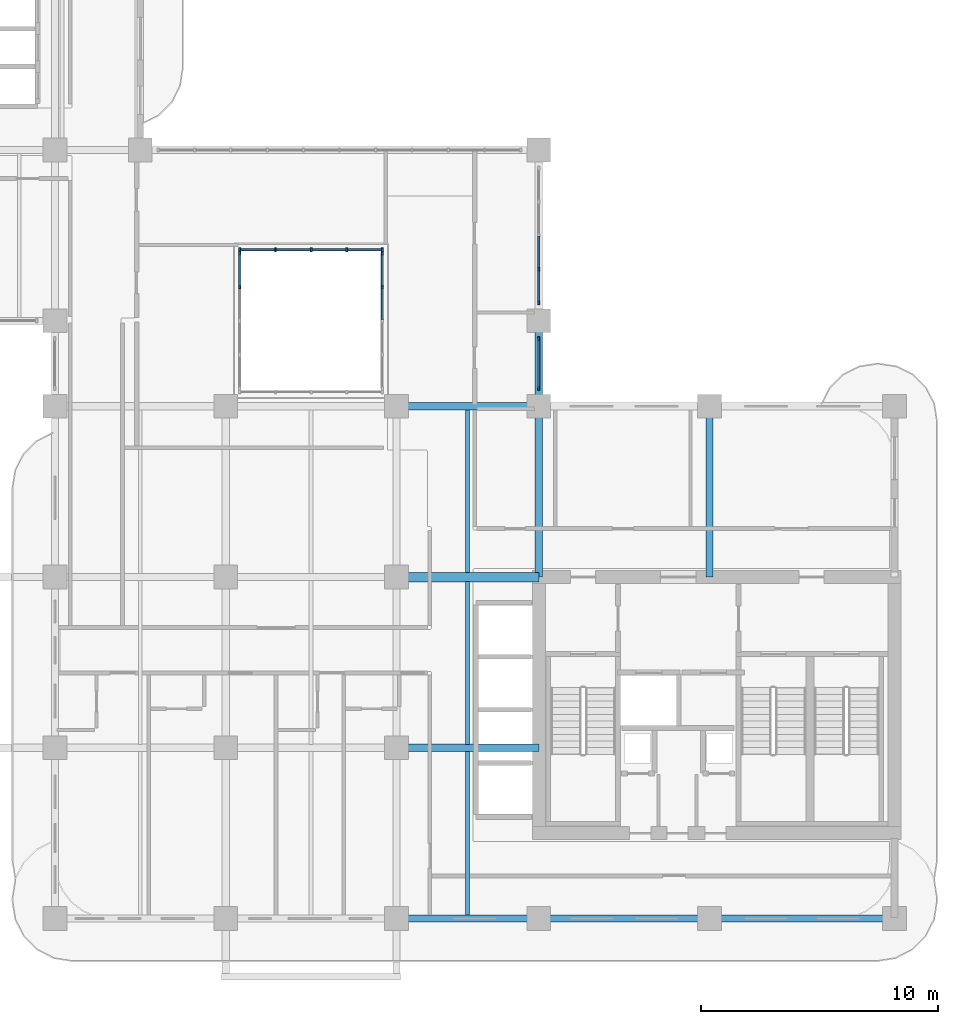
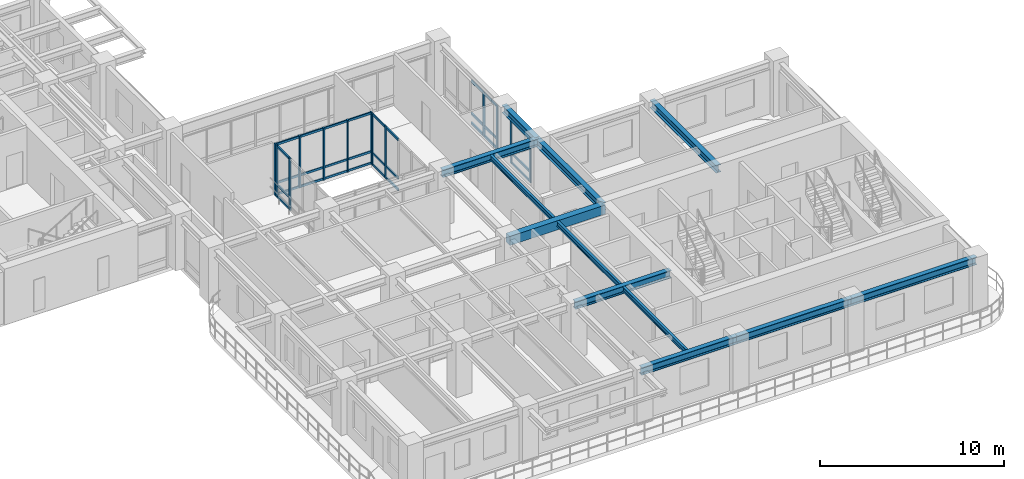
# One storey, part 3 of 20: 43 members, 12 beams, 5 elements without a shape of their own.
"""IFC4 building model written with IfcOpenShell, lengths in metres."""

import ifcopenshell
import ifcopenshell.guid

model = None  # the IFC model being written
_history = None  # IfcOwnerHistory: only IFC2X3 demands one
_inside = {}  # id of a spatial element -> (the spatial element, [elements in it])
_under = {}  # id of a project, library or spatial element -> (it, [spatial elements below it])
_declared = {}  # id of a project -> (the project, [libraries it declares])
_typed = {}  # id of a type object -> (the type object, [elements of that type])
_made_of = {}  # id of a material, layer set ... -> (it, [elements and type objects made of it])


def new_model(schema):
    """Start an empty IFC model of exactly this schema.

    Asked for "IFC4X3", IfcOpenShell would pick the latest addendum, in which some entities
    have other attributes; the version numbers below select the first issue.
    IFC2X3 requires an IfcOwnerHistory on every rooted entity: one is made here for all.
    """
    global model, _history
    if schema == "IFC4X3":
        model = ifcopenshell.file(schema_version=(4, 3, 0, 0))
    else:
        model = ifcopenshell.file(schema=schema)
    _inside.clear()
    _under.clear()
    _declared.clear()
    _typed.clear()
    _made_of.clear()
    _history = None
    if model.schema == "IFC2X3":
        org = make("IfcOrganization", Name="unknown")
        user = make(
            "IfcPersonAndOrganization",
            ThePerson=make("IfcPerson", FamilyName="unknown"),
            TheOrganization=org,
        )
        app = make(
            "IfcApplication",
            ApplicationDeveloper=org,
            Version="unknown",
            ApplicationFullName="unknown",
            ApplicationIdentifier="unknown",
        )
        _history = make(
            "IfcOwnerHistory",
            OwningUser=user,
            OwningApplication=app,
            ChangeAction="ADDED",
            CreationDate=0,
        )
    return model


def make(cls, **values):
    """One entity of the class cls with the attributes given. An attribute that is None is left unset."""
    return model.create_entity(
        cls, **{name: value for name, value in values.items() if value is not None}
    )


def rooted(cls, **values):
    """An entity with a GlobalId (a new one), such as an element, a storey or a relation."""
    return make(cls, GlobalId=ifcopenshell.guid.new(), OwnerHistory=_history, **values)


def si_unit(unit_type, name, prefix=None):
    """IfcSIUnit, for example si_unit("LENGTHUNIT", "METRE", prefix="MILLI")."""
    return make("IfcSIUnit", UnitType=unit_type, Prefix=prefix, Name=name)


def derived_unit(unit_type, elements):
    """IfcDerivedUnit: a product of units, each with its exponent."""
    return make(
        "IfcDerivedUnit",
        Elements=[
            make("IfcDerivedUnitElement", Unit=unit, Exponent=power)
            for unit, power in elements
        ],
        UnitType=unit_type,
    )


def assignment(units):
    """IfcUnitAssignment: the units of a project."""
    return None if units is None else make("IfcUnitAssignment", Units=units)


def point(xyz):
    """IfcCartesianPoint."""
    return None if xyz is None else make("IfcCartesianPoint", Coordinates=xyz)


def direction(xyz):
    """IfcDirection."""
    return None if xyz is None else make("IfcDirection", DirectionRatios=xyz)


def frame(location, z_axis=None, x_axis=None):
    """IfcAxis2Placement3D, a coordinate frame: its origin and axes. An axis left out is left unset."""
    return make(
        "IfcAxis2Placement3D",
        Location=point(location),
        Axis=direction(z_axis),
        RefDirection=direction(x_axis),
    )


def frame_2d(location, x_axis=None):
    """IfcAxis2Placement2D, a coordinate frame in the plane: its origin and x axis."""
    return make(
        "IfcAxis2Placement2D", Location=point(location), RefDirection=direction(x_axis)
    )


def origin():
    """The frame at (0, 0, 0) with its axes left unset."""
    return frame((0.0, 0.0, 0.0))


def origin_2d():
    """The frame at (0, 0) in the plane with its x axis left unset."""
    return frame_2d((0.0, 0.0))


def place(relative_to, where):
    """IfcLocalPlacement: puts the frame where relative to a parent placement (None: the world)."""
    return make(
        "IfcLocalPlacement", PlacementRelTo=relative_to, RelativePlacement=where
    )


def context(
    kind, dimensions, precision=None, world=None, true_north=None, identifier=None
):
    """IfcGeometricRepresentationContext, for example the 3D "Model" context."""
    return make(
        "IfcGeometricRepresentationContext",
        ContextIdentifier=identifier,
        ContextType=kind,
        CoordinateSpaceDimension=dimensions,
        Precision=precision,
        WorldCoordinateSystem=world,
        TrueNorth=true_north,
    )


def subcontext(parent, identifier, kind, view, scale=None):
    """IfcGeometricRepresentationSubContext, for example "Body" below "Model"."""
    return make(
        "IfcGeometricRepresentationSubContext",
        ContextIdentifier=identifier,
        ContextType=kind,
        ParentContext=parent,
        TargetScale=scale,
        TargetView=view,
    )


def project(units=None, contexts=None):
    """IfcProject with its units and contexts."""
    return rooted(
        "IfcProject",
        Name="project",
        RepresentationContexts=contexts,
        UnitsInContext=assignment(units),
    )


def spatial(cls, under=None, at=None, **own):
    """A site, building, storey or space (cls), placed at a placement, below another one or the project."""
    s = rooted(cls, ObjectPlacement=at, **own)
    if under is not None:
        _under.setdefault(under.id(), (under, []))[1].append(s)
    return s


def profile(cls, at=None, kind="AREA", **sizes):
    """A parametric profile (cls). Its sizes go by their IFC names, for example OverallWidth=200.0."""
    return make(cls, ProfileType=kind, Position=at, **sizes)


def rectangle(**sizes):
    """IfcRectangleProfileDef."""
    return profile("IfcRectangleProfileDef", **sizes)


def i_section(**sizes):
    """IfcIShapeProfileDef."""
    return profile("IfcIShapeProfileDef", **sizes)


def extrude(swept, where, along, depth):
    """IfcExtrudedAreaSolid: the profile swept, set in the frame where, extruded along a direction by depth."""
    return make(
        "IfcExtrudedAreaSolid",
        SweptArea=swept,
        Position=where,
        ExtrudedDirection=direction(along),
        Depth=depth,
    )


def shape(context_of_items, identifier, shape_type, items):
    """IfcShapeRepresentation: the items that make up one representation, for example the "Body"."""
    return make(
        "IfcShapeRepresentation",
        ContextOfItems=context_of_items,
        RepresentationIdentifier=identifier,
        RepresentationType=shape_type,
        Items=items,
    )


def source(mapping_origin, context_of_items, identifier, shape_type, items):
    """IfcRepresentationMap: a shape defined once, which mapped items show again and again."""
    return make(
        "IfcRepresentationMap",
        MappingOrigin=mapping_origin,
        MappedRepresentation=shape(context_of_items, identifier, shape_type, items),
    )


def transform(
    local_origin,
    x_axis=None,
    y_axis=None,
    z_axis=None,
    scale=None,
    scale2=None,
    scale3=None,
    uniform=True,
):
    """IfcCartesianTransformationOperator3D, or its non-uniform kind. x_axis, y_axis, z_axis: its Axis1, 2, 3."""
    if uniform:
        return make(
            "IfcCartesianTransformationOperator3D",
            Axis1=direction(x_axis),
            Axis2=direction(y_axis),
            LocalOrigin=point(local_origin),
            Scale=scale,
            Axis3=direction(z_axis),
        )
    return make(
        "IfcCartesianTransformationOperator3DnonUniform",
        Axis1=direction(x_axis),
        Axis2=direction(y_axis),
        LocalOrigin=point(local_origin),
        Scale=scale,
        Axis3=direction(z_axis),
        Scale2=scale2,
        Scale3=scale3,
    )


def mapped(mapping_source, mapping_target):
    """IfcMappedItem: shows the shape of a source again, moved by a transform."""
    return make(
        "IfcMappedItem", MappingSource=mapping_source, MappingTarget=mapping_target
    )


def material(Name=None, Category=None):
    """IfcMaterial."""
    return make("IfcMaterial", Name=Name, Category=Category)


def layer(
    of_material, thickness, ventilated=None, Name=None, Category=None, Priority=None
):
    """IfcMaterialLayer: one layer of a wall or slab, of a material (None: an air gap)."""
    return make(
        "IfcMaterialLayer",
        Material=of_material,
        LayerThickness=thickness,
        IsVentilated=ventilated,
        Name=Name,
        Category=Category,
        Priority=Priority,
    )


def layer_set(layers, Name=None):
    """IfcMaterialLayerSet."""
    return make("IfcMaterialLayerSet", MaterialLayers=layers, LayerSetName=Name)


def material_profile(
    of_material, cross_section, Name=None, Category=None, Priority=None
):
    """IfcMaterialProfile: a cross section and its material."""
    return make(
        "IfcMaterialProfile",
        Name=Name,
        Material=of_material,
        Profile=cross_section,
        Priority=Priority,
        Category=Category,
    )


def profile_set(profiles, Name=None, composite=None):
    """IfcMaterialProfileSet."""
    return make(
        "IfcMaterialProfileSet",
        Name=Name,
        MaterialProfiles=profiles,
        CompositeProfile=composite,
    )


def made_of(thing, what):
    """Note that an element or type object is made of a material, layer set ...; save() writes the relation."""
    if what is not None:
        _made_of.setdefault(what.id(), (what, []))[1].append(thing)
    return thing


def type_object(cls, material=None, **own):
    """A type object (cls), such as IfcWallType, which elements share."""
    return made_of(rooted(cls, **own), material)


def type_shapes(of_type, sources):
    """Give a type object the sources (RepresentationMaps) that its elements show as mapped items."""
    of_type.RepresentationMaps = sources


def element(
    cls,
    number,
    at=None,
    inside=None,
    cuts=None,
    type_object=None,
    material=None,
    context=None,
    identifier="Body",
    shape_type=None,
    held_by="IfcProductDefinitionShape",
    body=None,
    shapes=None,
    **own,
):
    """One element of the class cls, such as IfcWall. Its Tag is "e" and its number.

    at: its placement. inside: the storey or other place that contains it. cuts: it is an
    opening in that element (IfcRelVoidsElement). A single representation is given by context,
    identifier, shape_type and body (its items); several are given by shapes. held_by: the class
    of the entity that holds the representations. save() writes the other relations.
    """
    e = rooted(cls, Tag="e%d" % number, ObjectPlacement=at, **own)
    if body is not None:
        shapes = [shape(context, identifier, shape_type, body)]
    if shapes is not None:
        e.Representation = make(held_by, Representations=shapes)
    if inside is not None:
        _inside.setdefault(inside.id(), (inside, []))[1].append(e)
    if cuts is not None:
        rooted(
            "IfcRelVoidsElement", RelatingBuildingElement=cuts, RelatedOpeningElement=e
        )
    if type_object is not None:
        _typed.setdefault(type_object.id(), (type_object, []))[1].append(e)
    return made_of(e, material)


def aggregate(whole, parts):
    """IfcRelAggregates: a whole, such as a stair, and the parts it consists of."""
    return rooted("IfcRelAggregates", RelatingObject=whole, RelatedObjects=parts)


def save(model, path):
    """Write the relations noted so far, then the file.

    IfcRelAggregates (storeys below a building ...), IfcRelContainedInSpatialStructure (elements
    in a storey), IfcRelDefinesByType, IfcRelAssociatesMaterial and IfcRelDeclares: one each for
    every whole, place, type object, material and project.
    """
    for whole, parts in _under.values():
        aggregate(whole, parts)
    for where, things in _inside.values():
        rooted(
            "IfcRelContainedInSpatialStructure",
            RelatedElements=things,
            RelatingStructure=where,
        )
    for kind, things in _typed.values():
        rooted("IfcRelDefinesByType", RelatedObjects=things, RelatingType=kind)
    for what, things in _made_of.values():
        rooted("IfcRelAssociatesMaterial", RelatedObjects=things, RelatingMaterial=what)
    for by, libraries in _declared.values():
        rooted("IfcRelDeclares", RelatingContext=by, RelatedDefinitions=libraries)
    model.write(path)


model = new_model("IFC4")

# Units and contexts
model_context = context("Model", 3, precision=1e-05, world=origin(), true_north=direction((0.0, 1.0)))
body_context = subcontext(model_context, "Body", "Model", "MODEL_VIEW")
ifc_project = project(units=[si_unit("LENGTHUNIT", "METRE"), si_unit("AREAUNIT", "SQUARE_METRE"), si_unit("VOLUMEUNIT", "CUBIC_METRE"), si_unit("PLANEANGLEUNIT", "RADIAN"), si_unit("MASSUNIT", "GRAM", prefix="KILO"), si_unit("THERMODYNAMICTEMPERATUREUNIT", "KELVIN"), si_unit("POWERUNIT", "WATT"), derived_unit("THERMALTRANSMITTANCEUNIT", [(si_unit("POWERUNIT", "WATT"), 1), (si_unit("AREAUNIT", "SQUARE_METRE"), -1), (si_unit("THERMODYNAMICTEMPERATUREUNIT", "KELVIN"), -1)])], contexts=[model_context])

# Site, building, storey
site_placement = place(None, origin())
site = spatial("IfcSite", under=ifc_project, at=site_placement, CompositionType="ELEMENT")
building_placement = place(site_placement, origin())
building = spatial("IfcBuilding", under=site, at=building_placement, Name="Zahravan Archway Hotel and Residences", CompositionType="ELEMENT")
storey_placement = place(building_placement, frame((0.0, 0.0, 126.60009765625)))
storey = spatial("IfcBuildingStorey", under=building, at=storey_placement, Name="L31", CompositionType="ELEMENT", Elevation=126.60009765625)

# Beams
ifc_material_1 = material(Name="Concrete C60/75", Category="concrete")
ifc_material_profile_1 = material_profile(ifc_material_1, rectangle(XDim=0.39990234375, YDim=0.60009765625, at=origin_2d()), Name="RC-LNT-400x600", Category="concrete")
ifc_profile_set_1 = profile_set([ifc_material_profile_1], Name="Concrete C60/75")
beam_type_1 = type_object("IfcBeamType", Name="LNT-RC-400x600", PredefinedType="LINTEL", material=ifc_profile_set_1)
shared_shape_1 = source(origin(), body_context, "Body", "SweptSolid", [
    extrude(rectangle(XDim=0.39990234375, YDim=0.60009765625, at=origin_2d()), origin(), (0.0, 0.0, 1.0), 6.0),
])
type_shapes(beam_type_1, [shared_shape_1])
beam_1_placement = place(storey_placement, frame((28.800048828125, 14.39990234375, 3.14990234375), z_axis=(1.0, 0.0, 0.0), x_axis=(0.0, 1.0, 0.0)))
element("IfcBeam", 1, at=beam_1_placement, inside=storey, type_object=beam_type_1, Name="L31 Core A Coupling Lintel Beam", PredefinedType="LINTEL", context=body_context, shape_type="MappedRepresentation", body=[
    mapped(shared_shape_1, transform((0.0, 0.0, 0.0), scale=1.0)),
])
ifc_material_2 = material(Name="Structural Steel S355JR", Category="steel")
ifc_material_profile_2 = material_profile(ifc_material_2, i_section(OverallWidth=0.300048828125, OverallDepth=0.5, WebThickness=0.014404296875, FlangeThickness=0.028076171875, FilletRadius=0.027099609375, at=origin_2d()), Name="HEB 500", Category="steel")
ifc_profile_set_2 = profile_set([ifc_material_profile_2], Name="Structural Steel S355JR")
beam_type_2 = type_object("IfcBeamType", Name="BM-PRI-HEB500", PredefinedType="BEAM", material=ifc_profile_set_2)
shared_shape_2 = source(origin(), body_context, "Body", "SweptSolid", [
    extrude(i_section(OverallWidth=0.300048828125, OverallDepth=0.5, WebThickness=0.014404296875, FlangeThickness=0.028076171875, FilletRadius=0.027099609375, at=origin_2d()), origin(), (0.0, 0.0, 1.0), 7.2001953125),
])
type_shapes(beam_type_2, [shared_shape_2])
for number, where, z_axis, x_axis, name in (
    (2, (34.800048828125, 14.39990234375, 3.199951171875), (0.0, 1.0, 0.0), (-1.0, 0.0, 0.0), "L31 Primary Girder NS-41"),
    (3, (42.0, 14.39990234375, 3.199951171875), (0.0, 1.0, 0.0), (-1.0, 0.0, 0.0), "L31 Primary Girder NS-44"),
):
    element("IfcBeam", number, at=place(storey_placement, frame(where, z_axis=z_axis, x_axis=x_axis)), inside=storey, type_object=beam_type_2, Name=name, PredefinedType="BEAM", context=body_context, shape_type="MappedRepresentation", body=[
        mapped(shared_shape_2, transform((0.0, 0.0, 0.0), scale=1.0)),
    ])
shared_shape_3 = source(origin(), body_context, "Body", "SweptSolid", [
    extrude(i_section(OverallWidth=0.300048828125, OverallDepth=0.5, WebThickness=0.014404296875, FlangeThickness=0.028076171875, FilletRadius=0.027099609375, at=origin_2d()), origin(), (0.0, 0.0, 1.0), 7.199951171875),
])
beam_2_placement = place(storey_placement, frame((34.800048828125, 0.0, 3.199951171875), z_axis=(1.0, 0.0, 0.0), x_axis=(0.0, 1.0, 0.0)))
element("IfcBeam", 4, at=beam_2_placement, inside=storey, type_object=beam_type_2, Name="L31 Primary Girder EW-04", PredefinedType="BEAM", context=body_context, shape_type="MappedRepresentation", body=[
    mapped(shared_shape_3, transform((0.0, 0.0, 0.0), scale=1.0)),
])
shared_shape_4 = source(origin(), body_context, "Body", "SweptSolid", [
    extrude(i_section(OverallWidth=0.300048828125, OverallDepth=0.5, WebThickness=0.014404296875, FlangeThickness=0.028076171875, FilletRadius=0.027099609375, at=origin_2d()), origin(), (0.0, 0.0, 1.0), 6.0),
])
for number, where, z_axis, x_axis, name in (
    (5, (28.800048828125, 0.0, 3.199951171875), (1.0, 0.0, 0.0), (0.0, 1.0, 0.0), "L31 Primary Girder EW-03"),
    (6, (28.800048828125, 7.199951171875, 3.199951171875), (1.0, 0.0, 0.0), (0.0, 1.0, 0.0), "L31 Primary Girder EW-08"),
    (7, (28.800048828125, 21.60009765625, 3.199951171875), (1.0, 0.0, 0.0), (0.0, 1.0, 0.0), "L31 Primary Girder EW-13"),
):
    element("IfcBeam", number, at=place(storey_placement, frame(where, z_axis=z_axis, x_axis=x_axis)), inside=storey, type_object=beam_type_2, Name=name, PredefinedType="BEAM", context=body_context, shape_type="MappedRepresentation", body=[
        mapped(shared_shape_4, transform((0.0, 0.0, 0.0), scale=1.0)),
    ])
shared_shape_5 = source(origin(), body_context, "Body", "SweptSolid", [
    extrude(i_section(OverallWidth=0.300048828125, OverallDepth=0.5, WebThickness=0.014404296875, FlangeThickness=0.028076171875, FilletRadius=0.027099609375, at=origin_2d()), origin(), (0.0, 0.0, 1.0), 7.800048828125),
])
beam_3_placement = place(storey_placement, frame((42.0, 0.0, 3.199951171875), z_axis=(1.0, 0.0, 0.0), x_axis=(0.0, 1.0, 0.0)))
element("IfcBeam", 8, at=beam_3_placement, inside=storey, type_object=beam_type_2, Name="L31 Primary Girder EW-05", PredefinedType="BEAM", context=body_context, shape_type="MappedRepresentation", body=[
    mapped(shared_shape_5, transform((0.0, 0.0, 0.0), scale=1.0)),
])
shared_shape_6 = source(origin(), body_context, "Body", "SweptSolid", [
    extrude(i_section(OverallWidth=0.300048828125, OverallDepth=0.5, WebThickness=0.014404296875, FlangeThickness=0.028076171875, FilletRadius=0.027099609375, at=origin_2d()), origin(), (0.0, 0.0, 1.0), 3.599853515625),
])
beam_4_placement = place(storey_placement, frame((34.800048828125, 21.60009765625, 3.199951171875), z_axis=(0.0, 1.0, 0.0), x_axis=(-1.0, 0.0, 0.0)))
element("IfcBeam", 9, at=beam_4_placement, inside=storey, type_object=beam_type_2, Name="L31 Primary Girder NS-42", PredefinedType="BEAM", context=body_context, shape_type="MappedRepresentation", body=[
    mapped(shared_shape_6, transform((0.0, 0.0, 0.0), scale=1.0)),
])
ifc_material_profile_3 = material_profile(ifc_material_2, i_section(OverallWidth=0.159912109375, OverallDepth=0.330078125, WebThickness=0.007568359375, FlangeThickness=0.011474609375, FilletRadius=0.01806640625, at=origin_2d()), Name="IPE 330", Category="steel")
ifc_profile_set_3 = profile_set([ifc_material_profile_3], Name="Structural Steel S355JR")
beam_type_3 = type_object("IfcBeamType", Name="BM-JST-IPE330", PredefinedType="JOIST", material=ifc_profile_set_3)
shared_shape_7 = source(origin(), body_context, "Body", "SweptSolid", [
    extrude(i_section(OverallWidth=0.159912109375, OverallDepth=0.330078125, WebThickness=0.007568359375, FlangeThickness=0.011474609375, FilletRadius=0.01806640625, at=origin_2d()), origin(), (0.0, 0.0, 1.0), 6.904052734375),
])
type_shapes(beam_type_3, [shared_shape_7])
beam_5_placement = place(storey_placement, frame((31.800048828125, 0.14794921875, 3.284912109375), z_axis=(0.0, 1.0, 0.0), x_axis=(-1.0, 0.0, 0.0)))
element("IfcBeam", 10, at=beam_5_placement, inside=storey, type_object=beam_type_3, Name="L31 Composite Floor Joist 03", PredefinedType="JOIST", context=body_context, shape_type="MappedRepresentation", body=[
    mapped(shared_shape_7, transform((0.0, 0.0, 0.0), scale=1.0)),
])
shared_shape_8 = source(origin(), body_context, "Body", "SweptSolid", [
    extrude(i_section(OverallWidth=0.159912109375, OverallDepth=0.330078125, WebThickness=0.007568359375, FlangeThickness=0.011474609375, FilletRadius=0.01806640625, at=origin_2d()), origin(), (0.0, 0.0, 1.0), 6.85400390625),
])
for number, where, z_axis, x_axis, name in (
    (11, (31.800048828125, 7.347900390625, 3.284912109375), (0.0, 1.0, 0.0), (-1.0, 0.0, 0.0), "L31 Composite Floor Joist 06"),
    (12, (31.800048828125, 14.597900390625, 3.284912109375), (0.0, 1.0, 0.0), (-1.0, 0.0, 0.0), "L31 Composite Floor Joist 07"),
):
    element("IfcBeam", number, at=place(storey_placement, frame(where, z_axis=z_axis, x_axis=x_axis)), inside=storey, type_object=beam_type_3, Name=name, PredefinedType="JOIST", context=body_context, shape_type="MappedRepresentation", body=[
        mapped(shared_shape_8, transform((0.0, 0.0, 0.0), scale=1.0)),
    ])

# Curtain wall, members
ifc_material_3 = material(Name="Bronze-Anodized Unitised Aluminium & Low-E Glass", Category="aluminium")
ifc_layer = layer(ifc_material_3, 0.179931640625, Name="Bronze-Anodized Unitised Aluminium & Low-E Glass", Category="aluminium")
ifc_layer_set = layer_set([ifc_layer], Name="Bronze-Anodized Unitised Aluminium & Low-E Glass")
curtain_wall_type = type_object("IfcCurtainWallType", Name="CW-ATR-GLAZ", PredefinedType="NOTDEFINED", material=ifc_layer_set)
curtain_wall_1_placement = place(storey_placement, origin())
curtain_wall_1 = element("IfcCurtainWall", 13, at=curtain_wall_1_placement, inside=storey, type_object=curtain_wall_type, Name="L31 Curtain Wall CW-L31-HNG-E-2", PredefinedType="NOTDEFINED")
ifc_material_4 = material(Name="Bronze-Anodized Extruded Aluminium", Category="aluminium")
ifc_material_profile_4 = material_profile(ifc_material_4, rectangle(XDim=0.080078125, YDim=0.139892578125, at=origin_2d()), Name="TRN 80x140", Category="aluminium")
ifc_profile_set_4 = profile_set([ifc_material_profile_4], Name="Bronze-Anodized Extruded Aluminium")
member_type_1 = type_object("IfcMemberType", Name="CWM-TRN-140", PredefinedType="USERDEFINED", material=ifc_profile_set_4)
shared_shape_9 = source(origin(), body_context, "Body", "SweptSolid", [
    extrude(rectangle(XDim=0.080078125, YDim=0.139892578125, at=origin_2d()), origin(), (0.0, 0.0, 1.0), 1.340087890625),
])
member_1_placement = place(storey_placement, frame((34.800048828125, 26.0, 0.06982421875), z_axis=(0.0, 1.0, 0.0), x_axis=(-1.0, 0.0, 0.0)))
member_1 = element("IfcMember", 14, at=member_1_placement, type_object=member_type_1, Name="CW-L31-HNG-E-2 Transom 0-1", ObjectType="TRANSOM", PredefinedType="USERDEFINED", context=body_context, shape_type="MappedRepresentation", body=[
    mapped(shared_shape_9, transform((0.0, 0.0, 0.0), scale=1.0)),
])
member_2_placement = place(storey_placement, frame((34.800048828125, 26.0, 0.704345703125), z_axis=(0.0, 1.0, 0.0), x_axis=(-1.0, 0.0, 0.0)))
member_2 = element("IfcMember", 15, at=member_2_placement, type_object=member_type_1, Name="CW-L31-HNG-E-2 Transom 0-2", ObjectType="TRANSOM", PredefinedType="USERDEFINED", context=body_context, shape_type="MappedRepresentation", body=[
    mapped(shared_shape_9, transform((0.0, 0.0, 0.0), scale=1.0)),
])
member_3_placement = place(storey_placement, frame((34.800048828125, 26.0, 2.864990234375), z_axis=(0.0, 1.0, 0.0), x_axis=(-1.0, 0.0, 0.0)))
member_3 = element("IfcMember", 16, at=member_3_placement, type_object=member_type_1, Name="CW-L31-HNG-E-2 Transom 0-3", ObjectType="TRANSOM", PredefinedType="USERDEFINED", context=body_context, shape_type="MappedRepresentation", body=[
    mapped(shared_shape_9, transform((0.0, 0.0, 0.0), scale=1.0)),
])
member_4_placement = place(storey_placement, frame((34.800048828125, 27.419921875, 0.06982421875), z_axis=(0.0, 1.0, 0.0), x_axis=(-1.0, 0.0, 0.0)))
member_4 = element("IfcMember", 17, at=member_4_placement, type_object=member_type_1, Name="CW-L31-HNG-E-2 Transom 1-1", ObjectType="TRANSOM", PredefinedType="USERDEFINED", context=body_context, shape_type="MappedRepresentation", body=[
    mapped(shared_shape_9, transform((0.0, 0.0, 0.0), scale=1.0)),
])
member_5_placement = place(storey_placement, frame((34.800048828125, 27.419921875, 0.704345703125), z_axis=(0.0, 1.0, 0.0), x_axis=(-1.0, 0.0, 0.0)))
member_5 = element("IfcMember", 18, at=member_5_placement, type_object=member_type_1, Name="CW-L31-HNG-E-2 Transom 1-2", ObjectType="TRANSOM", PredefinedType="USERDEFINED", context=body_context, shape_type="MappedRepresentation", body=[
    mapped(shared_shape_9, transform((0.0, 0.0, 0.0), scale=1.0)),
])
member_6_placement = place(storey_placement, frame((34.800048828125, 27.419921875, 2.864990234375), z_axis=(0.0, 1.0, 0.0), x_axis=(-1.0, 0.0, 0.0)))
member_6 = element("IfcMember", 19, at=member_6_placement, type_object=member_type_1, Name="CW-L31-HNG-E-2 Transom 1-3", ObjectType="TRANSOM", PredefinedType="USERDEFINED", context=body_context, shape_type="MappedRepresentation", body=[
    mapped(shared_shape_9, transform((0.0, 0.0, 0.0), scale=1.0)),
])

curtain_wall_2_placement = place(storey_placement, origin())
curtain_wall_2 = element("IfcCurtainWall", 20, at=curtain_wall_2_placement, inside=storey, type_object=curtain_wall_type, Name="L31 Curtain Wall CW-L31-HNG-E-1", PredefinedType="NOTDEFINED")
shared_shape_10 = source(origin(), body_context, "Body", "SweptSolid", [
    extrude(rectangle(XDim=0.080078125, YDim=0.139892578125, at=origin_2d()), origin(), (0.0, 0.0, 1.0), 2.0),
])
member_7_placement = place(storey_placement, frame((34.800048828125, 22.39990234375, 0.06982421875), z_axis=(0.0, 1.0, 0.0), x_axis=(-1.0, 0.0, 0.0)))
member_7 = element("IfcMember", 21, at=member_7_placement, type_object=member_type_1, Name="CW-L31-HNG-E-1 Transom 0-1", ObjectType="TRANSOM", PredefinedType="USERDEFINED", context=body_context, shape_type="MappedRepresentation", body=[
    mapped(shared_shape_10, transform((0.0, 0.0, 0.0), scale=1.0)),
])
member_8_placement = place(storey_placement, frame((34.800048828125, 22.39990234375, 0.704345703125), z_axis=(0.0, 1.0, 0.0), x_axis=(-1.0, 0.0, 0.0)))
member_8 = element("IfcMember", 22, at=member_8_placement, type_object=member_type_1, Name="CW-L31-HNG-E-1 Transom 0-2", ObjectType="TRANSOM", PredefinedType="USERDEFINED", context=body_context, shape_type="MappedRepresentation", body=[
    mapped(shared_shape_10, transform((0.0, 0.0, 0.0), scale=1.0)),
])
member_9_placement = place(storey_placement, frame((34.800048828125, 22.39990234375, 2.864990234375), z_axis=(0.0, 1.0, 0.0), x_axis=(-1.0, 0.0, 0.0)))
member_9 = element("IfcMember", 23, at=member_9_placement, type_object=member_type_1, Name="CW-L31-HNG-E-1 Transom 0-3", ObjectType="TRANSOM", PredefinedType="USERDEFINED", context=body_context, shape_type="MappedRepresentation", body=[
    mapped(shared_shape_10, transform((0.0, 0.0, 0.0), scale=1.0)),
])

curtain_wall_3_placement = place(storey_placement, origin())
curtain_wall_3 = element("IfcCurtainWall", 24, at=curtain_wall_3_placement, inside=storey, type_object=curtain_wall_type, Name="L31 Curtain Wall CW-ATR-L31-N-1", PredefinedType="NOTDEFINED")
ifc_material_profile_5 = material_profile(ifc_material_4, rectangle(XDim=0.080078125, YDim=0.159912109375, at=origin_2d()), Name="MUL 80x160", Category="aluminium")
ifc_profile_set_5 = profile_set([ifc_material_profile_5], Name="Bronze-Anodized Extruded Aluminium")
member_type_2 = type_object("IfcMemberType", Name="CWM-MUL-160", PredefinedType="MULLION", material=ifc_profile_set_5)
shared_shape_11 = source(origin(), body_context, "Body", "SweptSolid", [
    extrude(rectangle(XDim=0.080078125, YDim=0.159912109375, at=origin_2d()), origin(), (0.0, 0.0, 1.0), 3.449951171875),
])
member_10_placement = place(storey_placement, frame((22.199951171875, 28.199951171875, 0.0), z_axis=(0.0, 0.0, 1.0), x_axis=(1.0, 0.0, 0.0)))
member_10 = element("IfcMember", 25, at=member_10_placement, type_object=member_type_2, Name="CW-ATR-L31-N-1 Mullion 0", PredefinedType="MULLION", context=body_context, shape_type="MappedRepresentation", body=[
    mapped(shared_shape_11, transform((0.0, 0.0, 0.0), scale=1.0)),
])
member_11_placement = place(storey_placement, frame((23.699951171875, 28.199951171875, 0.0), z_axis=(0.0, 0.0, 1.0), x_axis=(1.0, 0.0, 0.0)))
member_11 = element("IfcMember", 26, at=member_11_placement, type_object=member_type_2, Name="CW-ATR-L31-N-1 Mullion 1", PredefinedType="MULLION", context=body_context, shape_type="MappedRepresentation", body=[
    mapped(shared_shape_11, transform((0.0, 0.0, 0.0), scale=1.0)),
])
member_12_placement = place(storey_placement, frame((25.199951171875, 28.199951171875, 0.0), z_axis=(0.0, 0.0, 1.0), x_axis=(1.0, 0.0, 0.0)))
member_12 = element("IfcMember", 27, at=member_12_placement, type_object=member_type_2, Name="CW-ATR-L31-N-1 Mullion 2", PredefinedType="MULLION", context=body_context, shape_type="MappedRepresentation", body=[
    mapped(shared_shape_11, transform((0.0, 0.0, 0.0), scale=1.0)),
])
member_13_placement = place(storey_placement, frame((26.699951171875, 28.199951171875, 0.0), z_axis=(0.0, 0.0, 1.0), x_axis=(1.0, 0.0, 0.0)))
member_13 = element("IfcMember", 28, at=member_13_placement, type_object=member_type_2, Name="CW-ATR-L31-N-1 Mullion 3", PredefinedType="MULLION", context=body_context, shape_type="MappedRepresentation", body=[
    mapped(shared_shape_11, transform((0.0, 0.0, 0.0), scale=1.0)),
])
member_14_placement = place(storey_placement, frame((28.199951171875, 28.199951171875, 0.0), z_axis=(0.0, 0.0, 1.0), x_axis=(1.0, 0.0, 0.0)))
member_14 = element("IfcMember", 29, at=member_14_placement, type_object=member_type_2, Name="CW-ATR-L31-N-1 Mullion 4", PredefinedType="MULLION", context=body_context, shape_type="MappedRepresentation", body=[
    mapped(shared_shape_11, transform((0.0, 0.0, 0.0), scale=1.0)),
])

curtain_wall_4_placement = place(storey_placement, origin())
curtain_wall_4 = element("IfcCurtainWall", 30, at=curtain_wall_4_placement, inside=storey, type_object=curtain_wall_type, Name="L31 Curtain Wall CW-ATR-L31-W-1", PredefinedType="NOTDEFINED")
member_15_placement = place(storey_placement, frame((22.199951171875, 26.625, 0.0), z_axis=(0.0, 0.0, 1.0), x_axis=(1.0, 0.0, 0.0)))
member_15 = element("IfcMember", 31, at=member_15_placement, type_object=member_type_2, Name="CW-ATR-L31-W-1 Mullion 3", PredefinedType="MULLION", context=body_context, shape_type="MappedRepresentation", body=[
    mapped(shared_shape_11, transform((0.0, 0.0, 0.0), scale=1.0)),
])
member_16_placement = place(storey_placement, frame((22.199951171875, 28.050048828125, 0.0), z_axis=(0.0, 0.0, 1.0), x_axis=(1.0, 0.0, 0.0)))
member_16 = element("IfcMember", 32, at=member_16_placement, type_object=member_type_2, Name="CW-ATR-L31-W-1 Mullion 4", PredefinedType="MULLION", context=body_context, shape_type="MappedRepresentation", body=[
    mapped(shared_shape_11, transform((0.0, 0.0, 0.0), scale=1.0)),
])

curtain_wall_5_placement = place(storey_placement, origin())
curtain_wall_5 = element("IfcCurtainWall", 33, at=curtain_wall_5_placement, inside=storey, type_object=curtain_wall_type, Name="L31 Curtain Wall CW-ATR-L31-E-1", PredefinedType="NOTDEFINED")
member_17_placement = place(storey_placement, frame((28.199951171875, 26.625, 0.0), z_axis=(0.0, 0.0, 1.0), x_axis=(1.0, 0.0, 0.0)))
member_17 = element("IfcMember", 34, at=member_17_placement, type_object=member_type_2, Name="CW-ATR-L31-E-1 Mullion 3", PredefinedType="MULLION", context=body_context, shape_type="MappedRepresentation", body=[
    mapped(shared_shape_11, transform((0.0, 0.0, 0.0), scale=1.0)),
])
member_18_placement = place(storey_placement, frame((28.199951171875, 28.050048828125, 0.0), z_axis=(0.0, 0.0, 1.0), x_axis=(1.0, 0.0, 0.0)))
member_18 = element("IfcMember", 35, at=member_18_placement, type_object=member_type_2, Name="CW-ATR-L31-E-1 Mullion 4", PredefinedType="MULLION", context=body_context, shape_type="MappedRepresentation", body=[
    mapped(shared_shape_11, transform((0.0, 0.0, 0.0), scale=1.0)),
])

# Member
shared_shape_12 = source(origin(), body_context, "Body", "SweptSolid", [
    extrude(rectangle(XDim=0.080078125, YDim=0.139892578125, at=origin_2d()), origin(), (0.0, 0.0, 1.0), 1.419921875),
])
member_19_placement = place(storey_placement, frame((22.239990234375, 28.199951171875, 0.06982421875), z_axis=(1.0, 0.0, 0.0), x_axis=(0.0, 1.0, 0.0)))
member_19 = element("IfcMember", 36, at=member_19_placement, type_object=member_type_1, Name="CW-ATR-L31-N-1 Transom 0-1", ObjectType="TRANSOM", PredefinedType="USERDEFINED", context=body_context, shape_type="MappedRepresentation", body=[
    mapped(shared_shape_12, transform((0.0, 0.0, 0.0), scale=1.0)),
])

member_20_placement = place(storey_placement, frame((22.239990234375, 28.199951171875, 0.827880859375), z_axis=(1.0, 0.0, 0.0), x_axis=(0.0, 1.0, 0.0)))
member_20 = element("IfcMember", 37, at=member_20_placement, type_object=member_type_1, Name="CW-ATR-L31-N-1 Transom 0-2", ObjectType="TRANSOM", PredefinedType="USERDEFINED", context=body_context, shape_type="MappedRepresentation", body=[
    mapped(shared_shape_12, transform((0.0, 0.0, 0.0), scale=1.0)),
])

member_21_placement = place(storey_placement, frame((22.239990234375, 28.199951171875, 3.3798828125), z_axis=(1.0, 0.0, 0.0), x_axis=(0.0, 1.0, 0.0)))
member_21 = element("IfcMember", 38, at=member_21_placement, type_object=member_type_1, Name="CW-ATR-L31-N-1 Transom 0-3", ObjectType="TRANSOM", PredefinedType="USERDEFINED", context=body_context, shape_type="MappedRepresentation", body=[
    mapped(shared_shape_12, transform((0.0, 0.0, 0.0), scale=1.0)),
])

member_22_placement = place(storey_placement, frame((23.739990234375, 28.199951171875, 0.06982421875), z_axis=(1.0, 0.0, 0.0), x_axis=(0.0, 1.0, 0.0)))
member_22 = element("IfcMember", 39, at=member_22_placement, type_object=member_type_1, Name="CW-ATR-L31-N-1 Transom 1-1", ObjectType="TRANSOM", PredefinedType="USERDEFINED", context=body_context, shape_type="MappedRepresentation", body=[
    mapped(shared_shape_12, transform((0.0, 0.0, 0.0), scale=1.0)),
])

member_23_placement = place(storey_placement, frame((23.739990234375, 28.199951171875, 0.827880859375), z_axis=(1.0, 0.0, 0.0), x_axis=(0.0, 1.0, 0.0)))
member_23 = element("IfcMember", 40, at=member_23_placement, type_object=member_type_1, Name="CW-ATR-L31-N-1 Transom 1-2", ObjectType="TRANSOM", PredefinedType="USERDEFINED", context=body_context, shape_type="MappedRepresentation", body=[
    mapped(shared_shape_12, transform((0.0, 0.0, 0.0), scale=1.0)),
])

member_24_placement = place(storey_placement, frame((23.739990234375, 28.199951171875, 3.3798828125), z_axis=(1.0, 0.0, 0.0), x_axis=(0.0, 1.0, 0.0)))
member_24 = element("IfcMember", 41, at=member_24_placement, type_object=member_type_1, Name="CW-ATR-L31-N-1 Transom 1-3", ObjectType="TRANSOM", PredefinedType="USERDEFINED", context=body_context, shape_type="MappedRepresentation", body=[
    mapped(shared_shape_12, transform((0.0, 0.0, 0.0), scale=1.0)),
])

member_25_placement = place(storey_placement, frame((25.239990234375, 28.199951171875, 0.06982421875), z_axis=(1.0, 0.0, 0.0), x_axis=(0.0, 1.0, 0.0)))
member_25 = element("IfcMember", 42, at=member_25_placement, type_object=member_type_1, Name="CW-ATR-L31-N-1 Transom 2-1", ObjectType="TRANSOM", PredefinedType="USERDEFINED", context=body_context, shape_type="MappedRepresentation", body=[
    mapped(shared_shape_12, transform((0.0, 0.0, 0.0), scale=1.0)),
])

member_26_placement = place(storey_placement, frame((25.239990234375, 28.199951171875, 0.827880859375), z_axis=(1.0, 0.0, 0.0), x_axis=(0.0, 1.0, 0.0)))
member_26 = element("IfcMember", 43, at=member_26_placement, type_object=member_type_1, Name="CW-ATR-L31-N-1 Transom 2-2", ObjectType="TRANSOM", PredefinedType="USERDEFINED", context=body_context, shape_type="MappedRepresentation", body=[
    mapped(shared_shape_12, transform((0.0, 0.0, 0.0), scale=1.0)),
])

member_27_placement = place(storey_placement, frame((25.239990234375, 28.199951171875, 3.3798828125), z_axis=(1.0, 0.0, 0.0), x_axis=(0.0, 1.0, 0.0)))
member_27 = element("IfcMember", 44, at=member_27_placement, type_object=member_type_1, Name="CW-ATR-L31-N-1 Transom 2-3", ObjectType="TRANSOM", PredefinedType="USERDEFINED", context=body_context, shape_type="MappedRepresentation", body=[
    mapped(shared_shape_12, transform((0.0, 0.0, 0.0), scale=1.0)),
])

member_28_placement = place(storey_placement, frame((26.739990234375, 28.199951171875, 0.06982421875), z_axis=(1.0, 0.0, 0.0), x_axis=(0.0, 1.0, 0.0)))
member_28 = element("IfcMember", 45, at=member_28_placement, type_object=member_type_1, Name="CW-ATR-L31-N-1 Transom 3-1", ObjectType="TRANSOM", PredefinedType="USERDEFINED", context=body_context, shape_type="MappedRepresentation", body=[
    mapped(shared_shape_12, transform((0.0, 0.0, 0.0), scale=1.0)),
])

member_29_placement = place(storey_placement, frame((26.739990234375, 28.199951171875, 0.827880859375), z_axis=(1.0, 0.0, 0.0), x_axis=(0.0, 1.0, 0.0)))
member_29 = element("IfcMember", 46, at=member_29_placement, type_object=member_type_1, Name="CW-ATR-L31-N-1 Transom 3-2", ObjectType="TRANSOM", PredefinedType="USERDEFINED", context=body_context, shape_type="MappedRepresentation", body=[
    mapped(shared_shape_12, transform((0.0, 0.0, 0.0), scale=1.0)),
])

member_30_placement = place(storey_placement, frame((26.739990234375, 28.199951171875, 3.3798828125), z_axis=(1.0, 0.0, 0.0), x_axis=(0.0, 1.0, 0.0)))
member_30 = element("IfcMember", 47, at=member_30_placement, type_object=member_type_1, Name="CW-ATR-L31-N-1 Transom 3-3", ObjectType="TRANSOM", PredefinedType="USERDEFINED", context=body_context, shape_type="MappedRepresentation", body=[
    mapped(shared_shape_12, transform((0.0, 0.0, 0.0), scale=1.0)),
])

aggregate(curtain_wall_3, [member_10, member_11, member_12, member_13, member_14, member_19, member_20, member_21, member_22, member_23, member_24, member_25, member_26, member_27, member_28, member_29, member_30])

shared_shape_13 = source(origin(), body_context, "Body", "SweptSolid", [
    extrude(rectangle(XDim=0.080078125, YDim=0.139892578125, at=origin_2d()), origin(), (0.0, 0.0, 1.0), 1.344970703125),
])
member_31_placement = place(storey_placement, frame((22.199951171875, 26.6650390625, 0.06982421875), z_axis=(0.0, 1.0, 0.0), x_axis=(-1.0, 0.0, 0.0)))
member_31 = element("IfcMember", 48, at=member_31_placement, type_object=member_type_1, Name="CW-ATR-L31-W-1 Transom 3-1", ObjectType="TRANSOM", PredefinedType="USERDEFINED", context=body_context, shape_type="MappedRepresentation", body=[
    mapped(shared_shape_13, transform((0.0, 0.0, 0.0), scale=1.0)),
])

member_32_placement = place(storey_placement, frame((22.199951171875, 26.6650390625, 0.827880859375), z_axis=(0.0, 1.0, 0.0), x_axis=(-1.0, 0.0, 0.0)))
member_32 = element("IfcMember", 49, at=member_32_placement, type_object=member_type_1, Name="CW-ATR-L31-W-1 Transom 3-2", ObjectType="TRANSOM", PredefinedType="USERDEFINED", context=body_context, shape_type="MappedRepresentation", body=[
    mapped(shared_shape_13, transform((0.0, 0.0, 0.0), scale=1.0)),
])

member_33_placement = place(storey_placement, frame((22.199951171875, 26.6650390625, 3.3798828125), z_axis=(0.0, 1.0, 0.0), x_axis=(-1.0, 0.0, 0.0)))
member_33 = element("IfcMember", 50, at=member_33_placement, type_object=member_type_1, Name="CW-ATR-L31-W-1 Transom 3-3", ObjectType="TRANSOM", PredefinedType="USERDEFINED", context=body_context, shape_type="MappedRepresentation", body=[
    mapped(shared_shape_13, transform((0.0, 0.0, 0.0), scale=1.0)),
])

aggregate(curtain_wall_4, [member_15, member_16, member_31, member_32, member_33])

member_34_placement = place(storey_placement, frame((28.199951171875, 25.239990234375, 0.06982421875), z_axis=(0.0, 1.0, 0.0), x_axis=(-1.0, 0.0, 0.0)))
member_34 = element("IfcMember", 51, at=member_34_placement, type_object=member_type_1, Name="CW-ATR-L31-E-1 Transom 2-1", ObjectType="TRANSOM", PredefinedType="USERDEFINED", context=body_context, shape_type="MappedRepresentation", body=[
    mapped(shared_shape_13, transform((0.0, 0.0, 0.0), scale=1.0)),
])

member_35_placement = place(storey_placement, frame((28.199951171875, 25.239990234375, 0.827880859375), z_axis=(0.0, 1.0, 0.0), x_axis=(-1.0, 0.0, 0.0)))
member_35 = element("IfcMember", 52, at=member_35_placement, type_object=member_type_1, Name="CW-ATR-L31-E-1 Transom 2-2", ObjectType="TRANSOM", PredefinedType="USERDEFINED", context=body_context, shape_type="MappedRepresentation", body=[
    mapped(shared_shape_13, transform((0.0, 0.0, 0.0), scale=1.0)),
])

member_36_placement = place(storey_placement, frame((28.199951171875, 25.239990234375, 3.3798828125), z_axis=(0.0, 1.0, 0.0), x_axis=(-1.0, 0.0, 0.0)))
member_36 = element("IfcMember", 53, at=member_36_placement, type_object=member_type_1, Name="CW-ATR-L31-E-1 Transom 2-3", ObjectType="TRANSOM", PredefinedType="USERDEFINED", context=body_context, shape_type="MappedRepresentation", body=[
    mapped(shared_shape_13, transform((0.0, 0.0, 0.0), scale=1.0)),
])

member_37_placement = place(storey_placement, frame((28.199951171875, 26.6650390625, 0.06982421875), z_axis=(0.0, 1.0, 0.0), x_axis=(-1.0, 0.0, 0.0)))
member_37 = element("IfcMember", 54, at=member_37_placement, type_object=member_type_1, Name="CW-ATR-L31-E-1 Transom 3-1", ObjectType="TRANSOM", PredefinedType="USERDEFINED", context=body_context, shape_type="MappedRepresentation", body=[
    mapped(shared_shape_13, transform((0.0, 0.0, 0.0), scale=1.0)),
])

member_38_placement = place(storey_placement, frame((28.199951171875, 26.6650390625, 0.827880859375), z_axis=(0.0, 1.0, 0.0), x_axis=(-1.0, 0.0, 0.0)))
member_38 = element("IfcMember", 55, at=member_38_placement, type_object=member_type_1, Name="CW-ATR-L31-E-1 Transom 3-2", ObjectType="TRANSOM", PredefinedType="USERDEFINED", context=body_context, shape_type="MappedRepresentation", body=[
    mapped(shared_shape_13, transform((0.0, 0.0, 0.0), scale=1.0)),
])

member_39_placement = place(storey_placement, frame((28.199951171875, 26.6650390625, 3.3798828125), z_axis=(0.0, 1.0, 0.0), x_axis=(-1.0, 0.0, 0.0)))
member_39 = element("IfcMember", 56, at=member_39_placement, type_object=member_type_1, Name="CW-ATR-L31-E-1 Transom 3-3", ObjectType="TRANSOM", PredefinedType="USERDEFINED", context=body_context, shape_type="MappedRepresentation", body=[
    mapped(shared_shape_13, transform((0.0, 0.0, 0.0), scale=1.0)),
])

aggregate(curtain_wall_5, [member_17, member_18, member_34, member_35, member_36, member_37, member_38, member_39])

shared_shape_14 = source(origin(), body_context, "Body", "SweptSolid", [
    extrude(rectangle(XDim=0.080078125, YDim=0.159912109375, at=origin_2d()), origin(), (0.0, 0.0, 1.0), 2.934814453125),
])
member_40_placement = place(storey_placement, frame((34.800048828125, 22.360107421875, 0.0), z_axis=(0.0, 0.0, 1.0), x_axis=(1.0, 0.0, 0.0)))
member_40 = element("IfcMember", 57, at=member_40_placement, type_object=member_type_2, Name="CW-L31-HNG-E-1 Mullion 0", PredefinedType="MULLION", context=body_context, shape_type="MappedRepresentation", body=[
    mapped(shared_shape_14, transform((0.0, 0.0, 0.0), scale=1.0)),
])

member_41_placement = place(storey_placement, frame((34.800048828125, 24.43994140625, 0.0), z_axis=(0.0, 0.0, 1.0), x_axis=(1.0, 0.0, 0.0)))
member_41 = element("IfcMember", 58, at=member_41_placement, type_object=member_type_2, Name="CW-L31-HNG-E-1 Mullion 1", PredefinedType="MULLION", context=body_context, shape_type="MappedRepresentation", body=[
    mapped(shared_shape_14, transform((0.0, 0.0, 0.0), scale=1.0)),
])

aggregate(curtain_wall_2, [member_40, member_41, member_7, member_8, member_9])

member_42_placement = place(storey_placement, frame((34.800048828125, 25.9599609375, 0.0), z_axis=(0.0, 0.0, 1.0), x_axis=(1.0, 0.0, 0.0)))
member_42 = element("IfcMember", 59, at=member_42_placement, type_object=member_type_2, Name="CW-L31-HNG-E-2 Mullion 0", PredefinedType="MULLION", context=body_context, shape_type="MappedRepresentation", body=[
    mapped(shared_shape_14, transform((0.0, 0.0, 0.0), scale=1.0)),
])

member_43_placement = place(storey_placement, frame((34.800048828125, 27.3798828125, 0.0), z_axis=(0.0, 0.0, 1.0), x_axis=(1.0, 0.0, 0.0)))
member_43 = element("IfcMember", 60, at=member_43_placement, type_object=member_type_2, Name="CW-L31-HNG-E-2 Mullion 1", PredefinedType="MULLION", context=body_context, shape_type="MappedRepresentation", body=[
    mapped(shared_shape_14, transform((0.0, 0.0, 0.0), scale=1.0)),
])

aggregate(curtain_wall_1, [member_42, member_43, member_1, member_2, member_3, member_4, member_5, member_6])

save(model, "model.ifc")
